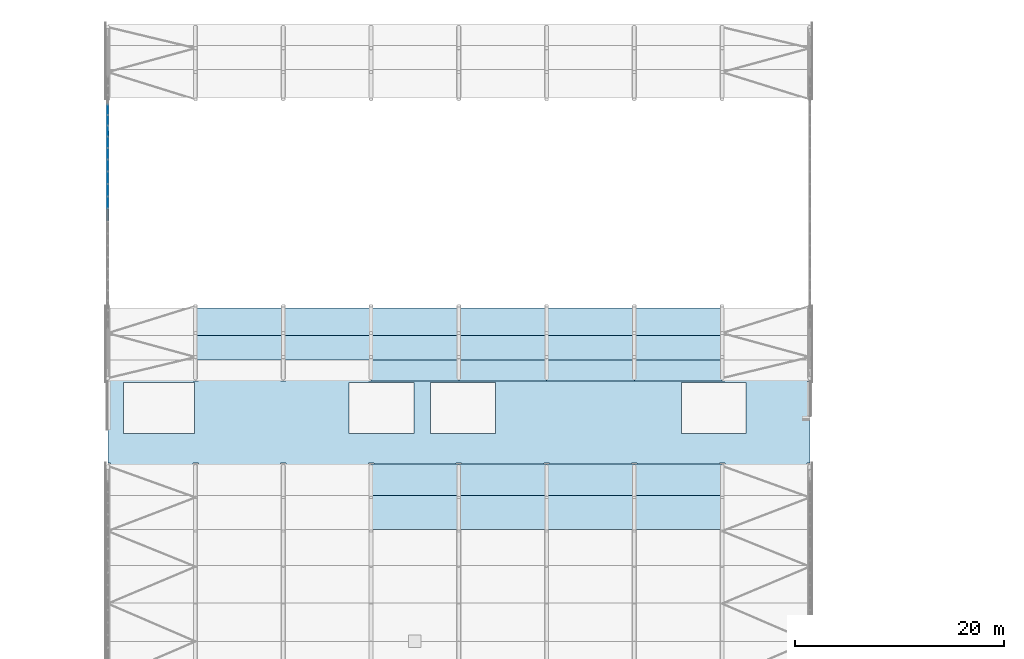
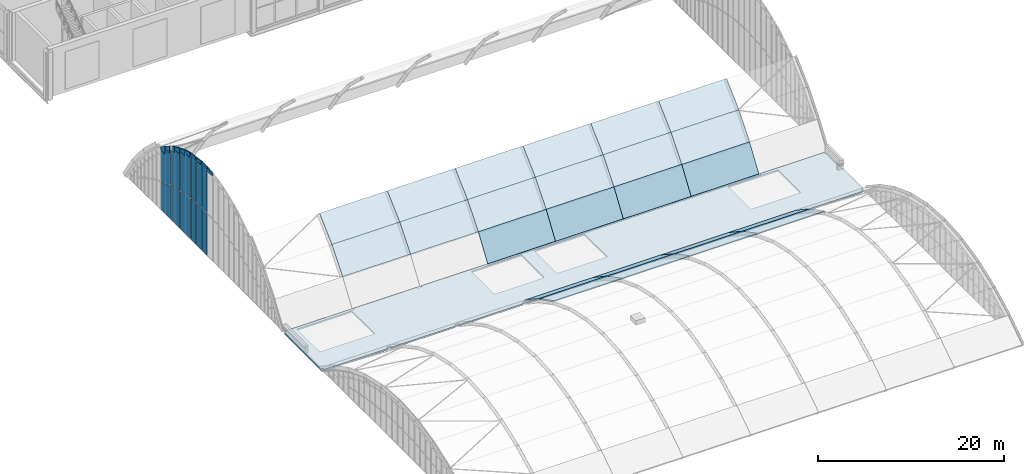
# One storey, part 55 of 77: 28 plates, 25 slabs, 1 element without a shape of its own.
"""IFC4 building model written with IfcOpenShell, lengths in metres."""

import ifcopenshell
import ifcopenshell.guid

model = None  # the IFC model being written
_history = None  # IfcOwnerHistory: only IFC2X3 demands one
_inside = {}  # id of a spatial element -> (the spatial element, [elements in it])
_under = {}  # id of a project, library or spatial element -> (it, [spatial elements below it])
_declared = {}  # id of a project -> (the project, [libraries it declares])
_typed = {}  # id of a type object -> (the type object, [elements of that type])
_made_of = {}  # id of a material, layer set ... -> (it, [elements and type objects made of it])


def new_model(schema):
    """Start an empty IFC model of exactly this schema.

    Asked for "IFC4X3", IfcOpenShell would pick the latest addendum, in which some entities
    have other attributes; the version numbers below select the first issue.
    IFC2X3 requires an IfcOwnerHistory on every rooted entity: one is made here for all.
    """
    global model, _history
    if schema == "IFC4X3":
        model = ifcopenshell.file(schema_version=(4, 3, 0, 0))
    else:
        model = ifcopenshell.file(schema=schema)
    _inside.clear()
    _under.clear()
    _declared.clear()
    _typed.clear()
    _made_of.clear()
    _history = None
    if model.schema == "IFC2X3":
        org = make("IfcOrganization", Name="unknown")
        user = make(
            "IfcPersonAndOrganization",
            ThePerson=make("IfcPerson", FamilyName="unknown"),
            TheOrganization=org,
        )
        app = make(
            "IfcApplication",
            ApplicationDeveloper=org,
            Version="unknown",
            ApplicationFullName="unknown",
            ApplicationIdentifier="unknown",
        )
        _history = make(
            "IfcOwnerHistory",
            OwningUser=user,
            OwningApplication=app,
            ChangeAction="ADDED",
            CreationDate=0,
        )
    return model


def make(cls, **values):
    """One entity of the class cls with the attributes given. An attribute that is None is left unset."""
    return model.create_entity(
        cls, **{name: value for name, value in values.items() if value is not None}
    )


def rooted(cls, **values):
    """An entity with a GlobalId (a new one), such as an element, a storey or a relation."""
    return make(cls, GlobalId=ifcopenshell.guid.new(), OwnerHistory=_history, **values)


def si_unit(unit_type, name, prefix=None):
    """IfcSIUnit, for example si_unit("LENGTHUNIT", "METRE", prefix="MILLI")."""
    return make("IfcSIUnit", UnitType=unit_type, Prefix=prefix, Name=name)


def assignment(units):
    """IfcUnitAssignment: the units of a project."""
    return None if units is None else make("IfcUnitAssignment", Units=units)


def point(xyz):
    """IfcCartesianPoint."""
    return None if xyz is None else make("IfcCartesianPoint", Coordinates=xyz)


def direction(xyz):
    """IfcDirection."""
    return None if xyz is None else make("IfcDirection", DirectionRatios=xyz)


def frame(location, z_axis=None, x_axis=None):
    """IfcAxis2Placement3D, a coordinate frame: its origin and axes. An axis left out is left unset."""
    return make(
        "IfcAxis2Placement3D",
        Location=point(location),
        Axis=direction(z_axis),
        RefDirection=direction(x_axis),
    )


def frame_2d(location, x_axis=None):
    """IfcAxis2Placement2D, a coordinate frame in the plane: its origin and x axis."""
    return make(
        "IfcAxis2Placement2D", Location=point(location), RefDirection=direction(x_axis)
    )


def origin():
    """The frame at (0, 0, 0) with its axes left unset."""
    return frame((0.0, 0.0, 0.0))


def origin_2d():
    """The frame at (0, 0) in the plane with its x axis left unset."""
    return frame_2d((0.0, 0.0))


def place(relative_to, where):
    """IfcLocalPlacement: puts the frame where relative to a parent placement (None: the world)."""
    return make(
        "IfcLocalPlacement", PlacementRelTo=relative_to, RelativePlacement=where
    )


def context(
    kind, dimensions, precision=None, world=None, true_north=None, identifier=None
):
    """IfcGeometricRepresentationContext, for example the 3D "Model" context."""
    return make(
        "IfcGeometricRepresentationContext",
        ContextIdentifier=identifier,
        ContextType=kind,
        CoordinateSpaceDimension=dimensions,
        Precision=precision,
        WorldCoordinateSystem=world,
        TrueNorth=true_north,
    )


def subcontext(parent, identifier, kind, view, scale=None):
    """IfcGeometricRepresentationSubContext, for example "Body" below "Model"."""
    return make(
        "IfcGeometricRepresentationSubContext",
        ContextIdentifier=identifier,
        ContextType=kind,
        ParentContext=parent,
        TargetScale=scale,
        TargetView=view,
    )


def project(units=None, contexts=None):
    """IfcProject with its units and contexts."""
    return rooted(
        "IfcProject",
        Name="project",
        RepresentationContexts=contexts,
        UnitsInContext=assignment(units),
    )


def spatial(cls, under=None, at=None, **own):
    """A site, building, storey or space (cls), placed at a placement, below another one or the project."""
    s = rooted(cls, ObjectPlacement=at, **own)
    if under is not None:
        _under.setdefault(under.id(), (under, []))[1].append(s)
    return s


def polyline(points):
    """IfcPolyline through the points."""
    return make("IfcPolyline", Points=[point(p) for p in points])


def profile(cls, at=None, kind="AREA", **sizes):
    """A parametric profile (cls). Its sizes go by their IFC names, for example OverallWidth=200.0."""
    return make(cls, ProfileType=kind, Position=at, **sizes)


def rectangle(**sizes):
    """IfcRectangleProfileDef."""
    return profile("IfcRectangleProfileDef", **sizes)


def outline(outer, holes=None, kind="AREA"):
    """IfcArbitraryClosedProfileDef: a profile drawn as a closed curve; with holes, ...WithVoids."""
    if holes is None:
        return make("IfcArbitraryClosedProfileDef", ProfileType=kind, OuterCurve=outer)
    return make(
        "IfcArbitraryProfileDefWithVoids",
        ProfileType=kind,
        OuterCurve=outer,
        InnerCurves=holes,
    )


def extrude(swept, where, along, depth):
    """IfcExtrudedAreaSolid: the profile swept, set in the frame where, extruded along a direction by depth."""
    return make(
        "IfcExtrudedAreaSolid",
        SweptArea=swept,
        Position=where,
        ExtrudedDirection=direction(along),
        Depth=depth,
    )


def shape(context_of_items, identifier, shape_type, items):
    """IfcShapeRepresentation: the items that make up one representation, for example the "Body"."""
    return make(
        "IfcShapeRepresentation",
        ContextOfItems=context_of_items,
        RepresentationIdentifier=identifier,
        RepresentationType=shape_type,
        Items=items,
    )


def material(Name=None, Category=None):
    """IfcMaterial."""
    return make("IfcMaterial", Name=Name, Category=Category)


def layer(
    of_material, thickness, ventilated=None, Name=None, Category=None, Priority=None
):
    """IfcMaterialLayer: one layer of a wall or slab, of a material (None: an air gap)."""
    return make(
        "IfcMaterialLayer",
        Material=of_material,
        LayerThickness=thickness,
        IsVentilated=ventilated,
        Name=Name,
        Category=Category,
        Priority=Priority,
    )


def layer_set(layers, Name=None):
    """IfcMaterialLayerSet."""
    return make("IfcMaterialLayerSet", MaterialLayers=layers, LayerSetName=Name)


def made_of(thing, what):
    """Note that an element or type object is made of a material, layer set ...; save() writes the relation."""
    if what is not None:
        _made_of.setdefault(what.id(), (what, []))[1].append(thing)
    return thing


def type_object(cls, material=None, **own):
    """A type object (cls), such as IfcWallType, which elements share."""
    return made_of(rooted(cls, **own), material)


def element(
    cls,
    number,
    at=None,
    inside=None,
    cuts=None,
    type_object=None,
    material=None,
    context=None,
    identifier="Body",
    shape_type=None,
    held_by="IfcProductDefinitionShape",
    body=None,
    shapes=None,
    **own,
):
    """One element of the class cls, such as IfcWall. Its Tag is "e" and its number.

    at: its placement. inside: the storey or other place that contains it. cuts: it is an
    opening in that element (IfcRelVoidsElement). A single representation is given by context,
    identifier, shape_type and body (its items); several are given by shapes. held_by: the class
    of the entity that holds the representations. save() writes the other relations.
    """
    e = rooted(cls, Tag="e%d" % number, ObjectPlacement=at, **own)
    if body is not None:
        shapes = [shape(context, identifier, shape_type, body)]
    if shapes is not None:
        e.Representation = make(held_by, Representations=shapes)
    if inside is not None:
        _inside.setdefault(inside.id(), (inside, []))[1].append(e)
    if cuts is not None:
        rooted(
            "IfcRelVoidsElement", RelatingBuildingElement=cuts, RelatedOpeningElement=e
        )
    if type_object is not None:
        _typed.setdefault(type_object.id(), (type_object, []))[1].append(e)
    return made_of(e, material)


def aggregate(whole, parts):
    """IfcRelAggregates: a whole, such as a stair, and the parts it consists of."""
    return rooted("IfcRelAggregates", RelatingObject=whole, RelatedObjects=parts)


def save(model, path):
    """Write the relations noted so far, then the file.

    IfcRelAggregates (storeys below a building ...), IfcRelContainedInSpatialStructure (elements
    in a storey), IfcRelDefinesByType, IfcRelAssociatesMaterial and IfcRelDeclares: one each for
    every whole, place, type object, material and project.
    """
    for whole, parts in _under.values():
        aggregate(whole, parts)
    for where, things in _inside.values():
        rooted(
            "IfcRelContainedInSpatialStructure",
            RelatedElements=things,
            RelatingStructure=where,
        )
    for kind, things in _typed.values():
        rooted("IfcRelDefinesByType", RelatedObjects=things, RelatingType=kind)
    for what, things in _made_of.values():
        rooted("IfcRelAssociatesMaterial", RelatedObjects=things, RelatingMaterial=what)
    for by, libraries in _declared.values():
        rooted("IfcRelDeclares", RelatingContext=by, RelatedDefinitions=libraries)
    model.write(path)


model = new_model("IFC4")

# Units and contexts
model_context = context("Model", 3, precision=1e-05, world=origin(), true_north=direction((0.0, 1.0)))
body_context = subcontext(model_context, "Body", "Model", "MODEL_VIEW")
ifc_project = project(units=[si_unit("LENGTHUNIT", "METRE"), si_unit("AREAUNIT", "SQUARE_METRE"), si_unit("VOLUMEUNIT", "CUBIC_METRE"), si_unit("PLANEANGLEUNIT", "RADIAN"), si_unit("MASSUNIT", "GRAM", prefix="KILO")], contexts=[model_context])

# Site, building, storey
site_placement = place(None, origin())
site = spatial("IfcSite", under=ifc_project, at=site_placement, CompositionType="ELEMENT")
building_placement = place(site_placement, origin())
building = spatial("IfcBuilding", under=site, at=building_placement, Name="Catenary Quay Ferry Terminal", CompositionType="ELEMENT")
storey_placement = place(building_placement, frame((0.0, 0.0, 10.800048828125)))
storey = spatial("IfcBuildingStorey", under=building, at=storey_placement, Name="L02", CompositionType="ELEMENT", Elevation=10.800048828125)

# Slab
ifc_material_1 = material(Name="Concrete C35/45", Category="concrete")
ifc_layer_1 = layer(ifc_material_1, 0.199951171875)
ifc_layer_set_1 = layer_set([ifc_layer_1], Name="Composite roof slab 200")
slab_type_1 = type_object("IfcSlabType", Name="Composite roof slab 200", PredefinedType="ROOF", material=ifc_layer_set_1)
slab_1_placement = place(storey_placement, frame((0.0, 0.0, -0.199951171875)))
element("IfcSlab", 1, at=slab_1_placement, inside=storey, type_object=slab_type_1, Name="Spine roof slab", PredefinedType="ROOF", context=body_context, shape_type="SweptSolid", body=[
    extrude(outline(polyline([(92.39990234375, 101.06396484375), (92.135986328125, 101.06396484375), (92.135986328125, 100.800048828125), (84.263916015625, 100.800048828125), (84.263916015625, 101.06396484375), (83.736083984375, 101.06396484375), (83.736083984375, 100.800048828125), (75.864013671875, 100.800048828125), (75.864013671875, 101.06396484375), (75.3359375, 101.06396484375), (75.3359375, 100.800048828125), (67.464111328125, 100.800048828125), (67.464111328125, 101.06396484375), (66.93603515625, 101.06396484375), (66.93603515625, 100.800048828125), (59.06396484375, 100.800048828125), (59.06396484375, 101.06396484375), (58.535888671875, 101.06396484375), (58.535888671875, 100.800048828125), (50.6640625, 100.800048828125), (50.6640625, 101.06396484375), (50.135986328125, 101.06396484375), (50.135986328125, 100.800048828125), (42.263916015625, 100.800048828125), (42.263916015625, 101.06396484375), (41.736083984375, 101.06396484375), (41.736083984375, 100.800048828125), (33.864013671875, 100.800048828125), (33.864013671875, 101.06396484375), (33.3359375, 101.06396484375), (33.3359375, 100.800048828125), (25.464111328125, 100.800048828125), (25.464111328125, 101.06396484375), (25.199951171875, 101.06396484375), (25.199951171875, 108.93603515625), (25.464111328125, 108.93603515625), (25.464111328125, 109.199951171875), (33.3359375, 109.199951171875), (33.3359375, 108.93603515625), (33.864013671875, 108.93603515625), (33.864013671875, 109.199951171875), (41.736083984375, 109.199951171875), (41.736083984375, 108.93603515625), (42.263916015625, 108.93603515625), (42.263916015625, 109.199951171875), (50.135986328125, 109.199951171875), (50.135986328125, 108.93603515625), (50.6640625, 108.93603515625), (50.6640625, 109.199951171875), (58.535888671875, 109.199951171875), (58.535888671875, 108.93603515625), (59.06396484375, 108.93603515625), (59.06396484375, 109.199951171875), (66.93603515625, 109.199951171875), (66.93603515625, 108.93603515625), (67.464111328125, 108.93603515625), (67.464111328125, 109.199951171875), (75.3359375, 109.199951171875), (75.3359375, 108.93603515625), (75.864013671875, 108.93603515625), (75.864013671875, 109.199951171875), (83.736083984375, 109.199951171875), (83.736083984375, 108.93603515625), (84.263916015625, 108.93603515625), (84.263916015625, 109.199951171875), (92.135986328125, 109.199951171875), (92.135986328125, 108.93603515625), (92.39990234375, 108.93603515625), (92.39990234375, 101.06396484375)]), holes=[polyline([(33.5, 103.89990234375), (33.5, 108.800048828125), (26.699951171875, 108.800048828125), (26.699951171875, 103.89990234375), (33.5, 103.89990234375)]), polyline([(54.5, 103.89990234375), (54.5, 108.800048828125), (48.300048828125, 108.800048828125), (48.300048828125, 103.89990234375), (54.5, 103.89990234375)]), polyline([(62.300048828125, 103.89990234375), (62.300048828125, 108.800048828125), (56.10009765625, 108.800048828125), (56.10009765625, 103.89990234375), (62.300048828125, 103.89990234375)]), polyline([(86.300048828125, 103.89990234375), (86.300048828125, 108.800048828125), (80.10009765625, 108.800048828125), (80.10009765625, 103.89990234375), (86.300048828125, 103.89990234375)])]), origin(), (0.0, 0.0, 1.0), 0.199951171875),
])

# Curtain wall, plates
ifc_material_2 = material(Name="Aluminium and glass", Category="aluminium")
curtain_wall_type = type_object("IfcCurtainWallType", Name="CWA", PredefinedType="NOTDEFINED", material=ifc_material_2)
curtain_wall_placement = place(storey_placement, origin())
curtain_wall = element("IfcCurtainWall", 2, at=curtain_wall_placement, inside=storey, type_object=curtain_wall_type, Name="Arch departure hall curtain wall CW17", PredefinedType="NOTDEFINED")
ifc_material_3 = material(Name="Glass", Category="glass")
ifc_layer_2 = layer(ifc_material_3, 0.035888671875)
ifc_layer_set_2 = layer_set([ifc_layer_2], Name="PN4")
plate_type_1 = type_object("IfcPlateType", Name="PN4", PredefinedType="CURTAIN_PANEL", material=ifc_layer_set_2)
plate_1_placement = place(storey_placement, frame((25.199951171875, 126.0, 0.10009765625), z_axis=(0.0, 0.0, 1.0), x_axis=(0.0, 1.0, 0.0)))
plate_1 = element("IfcPlate", 3, at=plate_1_placement, type_object=plate_type_1, Name="CW17 panel 17.1", PredefinedType="CURTAIN_PANEL", context=body_context, shape_type="SweptSolid", body=[
    extrude(rectangle(XDim=1.126220703125, YDim=0.035888671875, at=origin_2d()), origin(), (0.0, 0.0, 1.0), 5.5302734375),
])
plate_2_placement = place(storey_placement, frame((25.199951171875, 126.0, 5.730224609375), z_axis=(0.0, 0.0, 1.0), x_axis=(0.0, 1.0, 0.0)))
plate_2 = element("IfcPlate", 4, at=plate_2_placement, type_object=plate_type_1, Name="CW17 panel 17.2", PredefinedType="CURTAIN_PANEL", context=body_context, shape_type="SweptSolid", body=[
    extrude(rectangle(XDim=1.126220703125, YDim=0.035888671875, at=origin_2d()), origin(), (0.0, 0.0, 1.0), 5.5302734375),
])
plate_3_placement = place(storey_placement, frame((25.199951171875, 127.186279296875, 0.10009765625), z_axis=(0.0, 0.0, 1.0), x_axis=(0.0, 1.0, 0.0)))
plate_3 = element("IfcPlate", 5, at=plate_3_placement, type_object=plate_type_1, Name="CW17 panel 18.1", PredefinedType="CURTAIN_PANEL", context=body_context, shape_type="SweptSolid", body=[
    extrude(rectangle(XDim=1.126220703125, YDim=0.035888671875, at=origin_2d()), origin(), (0.0, 0.0, 1.0), 5.450927734375),
])
plate_4_placement = place(storey_placement, frame((25.199951171875, 127.186279296875, 5.65087890625), z_axis=(0.0, 0.0, 1.0), x_axis=(0.0, 1.0, 0.0)))
plate_4 = element("IfcPlate", 6, at=plate_4_placement, type_object=plate_type_1, Name="CW17 panel 18.2", PredefinedType="CURTAIN_PANEL", context=body_context, shape_type="SweptSolid", body=[
    extrude(rectangle(XDim=1.126220703125, YDim=0.035888671875, at=origin_2d()), origin(), (0.0, 0.0, 1.0), 5.450927734375),
])
plate_5_placement = place(storey_placement, frame((25.199951171875, 128.37255859375, 0.10009765625), z_axis=(0.0, 0.0, 1.0), x_axis=(0.0, 1.0, 0.0)))
plate_5 = element("IfcPlate", 7, at=plate_5_placement, type_object=plate_type_1, Name="CW17 panel 19.1", PredefinedType="CURTAIN_PANEL", context=body_context, shape_type="SweptSolid", body=[
    extrude(rectangle(XDim=1.126220703125, YDim=0.035888671875, at=origin_2d()), origin(), (0.0, 0.0, 1.0), 5.37158203125),
])
plate_6_placement = place(storey_placement, frame((25.199951171875, 128.37255859375, 5.57177734375), z_axis=(0.0, 0.0, 1.0), x_axis=(0.0, 1.0, 0.0)))
plate_6 = element("IfcPlate", 8, at=plate_6_placement, type_object=plate_type_1, Name="CW17 panel 19.2", PredefinedType="CURTAIN_PANEL", context=body_context, shape_type="SweptSolid", body=[
    extrude(rectangle(XDim=1.126220703125, YDim=0.035888671875, at=origin_2d()), origin(), (0.0, 0.0, 1.0), 5.37158203125),
])
plate_7_placement = place(storey_placement, frame((25.199951171875, 129.5400390625, 0.099853515625), z_axis=(0.0, 0.0, 1.0), x_axis=(0.0, 1.0, 0.0)))
plate_7 = element("IfcPlate", 9, at=plate_7_placement, type_object=plate_type_1, Name="CW17 panel 20.1", PredefinedType="CURTAIN_PANEL", context=body_context, shape_type="SweptSolid", body=[
    extrude(rectangle(XDim=1.08837890625, YDim=0.035888671875, at=origin_2d()), origin(), (0.0, 0.0, 1.0), 5.220703125),
])
plate_8_placement = place(storey_placement, frame((25.199951171875, 129.5400390625, 5.42041015625), z_axis=(0.0, 0.0, 1.0), x_axis=(0.0, 1.0, 0.0)))
plate_8 = element("IfcPlate", 10, at=plate_8_placement, type_object=plate_type_1, Name="CW17 panel 20.2", PredefinedType="CURTAIN_PANEL", context=body_context, shape_type="SweptSolid", body=[
    extrude(rectangle(XDim=1.08837890625, YDim=0.035888671875, at=origin_2d()), origin(), (0.0, 0.0, 1.0), 5.220703125),
])
plate_9_placement = place(storey_placement, frame((25.199951171875, 130.66943359375, 0.10009765625), z_axis=(0.0, 0.0, 1.0), x_axis=(0.0, 1.0, 0.0)))
plate_9 = element("IfcPlate", 11, at=plate_9_placement, type_object=plate_type_1, Name="CW17 panel 21.1", PredefinedType="CURTAIN_PANEL", context=body_context, shape_type="SweptSolid", body=[
    extrude(rectangle(XDim=1.05029296875, YDim=0.035888671875, at=origin_2d()), origin(), (0.0, 0.0, 1.0), 4.997802734375),
])
plate_10_placement = place(storey_placement, frame((25.199951171875, 130.66943359375, 5.19775390625), z_axis=(0.0, 0.0, 1.0), x_axis=(0.0, 1.0, 0.0)))
plate_10 = element("IfcPlate", 12, at=plate_10_placement, type_object=plate_type_1, Name="CW17 panel 21.2", PredefinedType="CURTAIN_PANEL", context=body_context, shape_type="SweptSolid", body=[
    extrude(rectangle(XDim=1.05029296875, YDim=0.035888671875, at=origin_2d()), origin(), (0.0, 0.0, 1.0), 4.997802734375),
])
plate_11_placement = place(storey_placement, frame((25.199951171875, 131.77978515625, 0.099853515625), z_axis=(0.0, 0.0, 1.0), x_axis=(0.0, 1.0, 0.0)))
plate_11 = element("IfcPlate", 13, at=plate_11_placement, type_object=plate_type_1, Name="CW17 panel 22.1", PredefinedType="CURTAIN_PANEL", context=body_context, shape_type="SweptSolid", body=[
    extrude(rectangle(XDim=1.05029296875, YDim=0.035888671875, at=origin_2d()), origin(), (0.0, 0.0, 1.0), 4.77490234375),
])
plate_12_placement = place(storey_placement, frame((25.199951171875, 131.77978515625, 4.974853515625), z_axis=(0.0, 0.0, 1.0), x_axis=(0.0, 1.0, 0.0)))
plate_12 = element("IfcPlate", 14, at=plate_12_placement, type_object=plate_type_1, Name="CW17 panel 22.2", PredefinedType="CURTAIN_PANEL", context=body_context, shape_type="SweptSolid", body=[
    extrude(rectangle(XDim=1.05029296875, YDim=0.035888671875, at=origin_2d()), origin(), (0.0, 0.0, 1.0), 4.77490234375),
])
plate_13_placement = place(storey_placement, frame((25.199951171875, 132.861083984375, 0.099853515625), z_axis=(0.0, 0.0, 1.0), x_axis=(0.0, 1.0, 0.0)))
plate_13 = element("IfcPlate", 15, at=plate_13_placement, type_object=plate_type_1, Name="CW17 panel 23.1", PredefinedType="CURTAIN_PANEL", context=body_context, shape_type="SweptSolid", body=[
    extrude(rectangle(XDim=0.992431640625, YDim=0.035888671875, at=origin_2d()), origin(), (0.0, 0.0, 1.0), 4.4970703125),
])
plate_14_placement = place(storey_placement, frame((25.199951171875, 132.861083984375, 4.697021484375), z_axis=(0.0, 0.0, 1.0), x_axis=(0.0, 1.0, 0.0)))
plate_14 = element("IfcPlate", 16, at=plate_14_placement, type_object=plate_type_1, Name="CW17 panel 23.2", PredefinedType="CURTAIN_PANEL", context=body_context, shape_type="SweptSolid", body=[
    extrude(rectangle(XDim=0.992431640625, YDim=0.035888671875, at=origin_2d()), origin(), (0.0, 0.0, 1.0), 4.4970703125),
])
plate_15_placement = place(storey_placement, frame((25.199951171875, 133.884765625, 0.10009765625), z_axis=(0.0, 0.0, 1.0), x_axis=(0.0, 1.0, 0.0)))
plate_15 = element("IfcPlate", 17, at=plate_15_placement, type_object=plate_type_1, Name="CW17 panel 24.1", PredefinedType="CURTAIN_PANEL", context=body_context, shape_type="SweptSolid", body=[
    extrude(rectangle(XDim=0.9345703125, YDim=0.035888671875, at=origin_2d()), origin(), (0.0, 0.0, 1.0), 4.164306640625),
])
plate_16_placement = place(storey_placement, frame((25.199951171875, 133.884765625, 4.3642578125), z_axis=(0.0, 0.0, 1.0), x_axis=(0.0, 1.0, 0.0)))
plate_16 = element("IfcPlate", 18, at=plate_16_placement, type_object=plate_type_1, Name="CW17 panel 24.2", PredefinedType="CURTAIN_PANEL", context=body_context, shape_type="SweptSolid", body=[
    extrude(rectangle(XDim=0.9345703125, YDim=0.035888671875, at=origin_2d()), origin(), (0.0, 0.0, 1.0), 4.164306640625),
])
plate_17_placement = place(storey_placement, frame((25.199951171875, 134.87939453125, 0.10009765625), z_axis=(0.0, 0.0, 1.0), x_axis=(0.0, 1.0, 0.0)))
plate_17 = element("IfcPlate", 19, at=plate_17_placement, type_object=plate_type_1, Name="CW17 panel 25.1", PredefinedType="CURTAIN_PANEL", context=body_context, shape_type="SweptSolid", body=[
    extrude(rectangle(XDim=0.9345703125, YDim=0.035888671875, at=origin_2d()), origin(), (0.0, 0.0, 1.0), 3.831298828125),
])
plate_18_placement = place(storey_placement, frame((25.199951171875, 134.87939453125, 4.03125), z_axis=(0.0, 0.0, 1.0), x_axis=(0.0, 1.0, 0.0)))
plate_18 = element("IfcPlate", 20, at=plate_18_placement, type_object=plate_type_1, Name="CW17 panel 25.2", PredefinedType="CURTAIN_PANEL", context=body_context, shape_type="SweptSolid", body=[
    extrude(rectangle(XDim=0.9345703125, YDim=0.035888671875, at=origin_2d()), origin(), (0.0, 0.0, 1.0), 3.831298828125),
])
ifc_material_4 = material(Name="Ceramic tile facing on insulated backing")
ifc_layer_3 = layer(ifc_material_4, 0.14990234375)
ifc_layer_set_3 = layer_set([ifc_layer_3], Name="PN7")
plate_type_2 = type_object("IfcPlateType", Name="PN7", PredefinedType="CURTAIN_PANEL", material=ifc_layer_set_3)
plate_19_placement = place(storey_placement, frame((25.199951171875, 124.25048828125, 11.201904296875), z_axis=(0.0, 0.0, 1.0), x_axis=(0.0, 1.0, 0.0)))
plate_19 = element("IfcPlate", 21, at=plate_19_placement, type_object=plate_type_2, Name="CW17 spandrel panel 18", PredefinedType="CURTAIN_PANEL", context=body_context, shape_type="SweptSolid", body=[
    extrude(outline(polyline([(0.0, 0.0), (1.126220703125, 0.0), (1.126220703125, 0.49462890625), (0.0, 0.343994140625), (0.0, 0.0)])), frame((0.0, 0.074951171875, 0.0), z_axis=(0.0, -1.0, 0.0), x_axis=(1.0, 0.0, 0.0)), (0.0, 0.0, 1.0), 0.14990234375),
])
plate_20_placement = place(storey_placement, frame((25.199951171875, 125.436767578125, 11.360595703125), z_axis=(0.0, 0.0, 1.0), x_axis=(0.0, 1.0, 0.0)))
plate_20 = element("IfcPlate", 22, at=plate_20_placement, type_object=plate_type_2, Name="CW17 spandrel panel 19", PredefinedType="CURTAIN_PANEL", context=body_context, shape_type="SweptSolid", body=[
    extrude(outline(polyline([(0.0, 0.0), (1.126220703125, 0.0), (1.126220703125, 0.343994140625), (0.0, 0.343994140625), (0.0, 0.0)])), frame((0.0, 0.074951171875, 0.0), z_axis=(0.0, -1.0, 0.0), x_axis=(1.0, 0.0, 0.0)), (0.0, 0.0, 1.0), 0.14990234375),
])
plate_21_placement = place(storey_placement, frame((25.199951171875, 126.623046875, 11.201904296875), z_axis=(0.0, 0.0, 1.0), x_axis=(0.0, 1.0, 0.0)))
plate_21 = element("IfcPlate", 23, at=plate_21_placement, type_object=plate_type_2, Name="CW17 spandrel panel 20", PredefinedType="CURTAIN_PANEL", context=body_context, shape_type="SweptSolid", body=[
    extrude(outline(polyline([(0.0, 0.0), (1.126220703125, 0.0), (1.126220703125, 0.343994140625), (0.0, 0.49462890625), (0.0, 0.0)])), frame((0.0, 0.074951171875, 0.0), z_axis=(0.0, -1.0, 0.0), x_axis=(1.0, 0.0, 0.0)), (0.0, 0.0, 1.0), 0.14990234375),
])
plate_22_placement = place(storey_placement, frame((25.199951171875, 127.8095703125, 11.043212890625), z_axis=(0.0, 0.0, 1.0), x_axis=(0.0, 1.0, 0.0)))
plate_22 = element("IfcPlate", 24, at=plate_22_placement, type_object=plate_type_2, Name="CW17 spandrel panel 21", PredefinedType="CURTAIN_PANEL", context=body_context, shape_type="SweptSolid", body=[
    extrude(outline(polyline([(0.0, 0.0), (1.126220703125, 0.0), (1.126220703125, 0.343994140625), (0.0, 0.49462890625), (0.0, 0.0)])), frame((0.0, 0.074951171875, 0.0), z_axis=(0.0, -1.0, 0.0), x_axis=(1.0, 0.0, 0.0)), (0.0, 0.0, 1.0), 0.14990234375),
])
plate_23_placement = place(storey_placement, frame((25.199951171875, 128.995849609375, 10.7412109375), z_axis=(0.0, 0.0, 1.0), x_axis=(0.0, 1.0, 0.0)))
plate_23 = element("IfcPlate", 25, at=plate_23_placement, type_object=plate_type_2, Name="CW17 spandrel panel 22", PredefinedType="CURTAIN_PANEL", context=body_context, shape_type="SweptSolid", body=[
    extrude(outline(polyline([(0.0, 0.0), (1.08837890625, 0.0), (1.08837890625, 0.35205078125), (0.0, 0.637939453125), (0.0, 0.0)])), frame((0.0, 0.074951171875, 0.0), z_axis=(0.0, -1.0, 0.0), x_axis=(1.0, 0.0, 0.0)), (0.0, 0.0, 1.0), 0.14990234375),
])
plate_24_placement = place(storey_placement, frame((25.199951171875, 130.144287109375, 10.29541015625), z_axis=(0.0, 0.0, 1.0), x_axis=(0.0, 1.0, 0.0)))
plate_24 = element("IfcPlate", 26, at=plate_24_placement, type_object=plate_type_2, Name="CW17 spandrel panel 23", PredefinedType="CURTAIN_PANEL", context=body_context, shape_type="SweptSolid", body=[
    extrude(outline(polyline([(0.0, 0.0), (1.05029296875, 0.0), (1.05029296875, 0.35205078125), (0.0, 0.773681640625), (0.0, 0.0)])), frame((0.0, 0.074951171875, 0.0), z_axis=(0.0, -1.0, 0.0), x_axis=(1.0, 0.0, 0.0)), (0.0, 0.0, 1.0), 0.14990234375),
])
plate_25_placement = place(storey_placement, frame((25.199951171875, 131.25439453125, 9.849853515625), z_axis=(0.0, 0.0, 1.0), x_axis=(0.0, 1.0, 0.0)))
plate_25 = element("IfcPlate", 27, at=plate_25_placement, type_object=plate_type_2, Name="CW17 spandrel panel 24", PredefinedType="CURTAIN_PANEL", context=body_context, shape_type="SweptSolid", body=[
    extrude(outline(polyline([(0.0, 0.0), (1.05029296875, 0.0), (1.05029296875, 0.35205078125), (0.0, 0.7734375), (0.0, 0.0)])), frame((0.0, 0.074951171875, 0.0), z_axis=(0.0, -1.0, 0.0), x_axis=(1.0, 0.0, 0.0)), (0.0, 0.0, 1.0), 0.14990234375),
])
plate_26_placement = place(storey_placement, frame((25.199951171875, 132.36474609375, 9.294189453125), z_axis=(0.0, 0.0, 1.0), x_axis=(0.0, 1.0, 0.0)))
plate_26 = element("IfcPlate", 28, at=plate_26_placement, type_object=plate_type_2, Name="CW17 spandrel panel 25", PredefinedType="CURTAIN_PANEL", context=body_context, shape_type="SweptSolid", body=[
    extrude(outline(polyline([(0.0, 0.0), (0.4501953125, 0.0), (0.4501953125, 0.702880859375), (0.0, 0.883544921875), (0.0, 0.0)])), frame((0.0, 0.074951171875, 0.0), z_axis=(0.0, -1.0, 0.0), x_axis=(1.0, 0.0, 0.0)), (0.0, 0.0, 1.0), 0.14990234375),
])
plate_27_placement = place(storey_placement, frame((25.199951171875, 133.417236328125, 8.62841796875), z_axis=(0.0, 0.0, 1.0), x_axis=(0.0, 1.0, 0.0)))
plate_27 = element("IfcPlate", 29, at=plate_27_placement, type_object=plate_type_2, Name="CW17 spandrel panel 27", PredefinedType="CURTAIN_PANEL", context=body_context, shape_type="SweptSolid", body=[
    extrude(outline(polyline([(0.0, 0.0), (0.9345703125, 0.0), (0.9345703125, 0.360107421875), (0.0, 0.985595703125), (0.0, 0.0)])), frame((0.0, 0.074951171875, 0.0), z_axis=(0.0, -1.0, 0.0), x_axis=(1.0, 0.0, 0.0)), (0.0, 0.0, 1.0), 0.14990234375),
])
plate_28_placement = place(storey_placement, frame((25.199951171875, 134.412109375, 7.962890625), z_axis=(0.0, 0.0, 1.0), x_axis=(0.0, 1.0, 0.0)))
plate_28 = element("IfcPlate", 30, at=plate_28_placement, type_object=plate_type_2, Name="CW17 spandrel panel 28", PredefinedType="CURTAIN_PANEL", context=body_context, shape_type="SweptSolid", body=[
    extrude(outline(polyline([(0.0, 0.0), (0.9345703125, 0.0), (0.9345703125, 0.35986328125), (0.0, 0.985595703125), (0.0, 0.0)])), frame((0.0, 0.074951171875, 0.0), z_axis=(0.0, -1.0, 0.0), x_axis=(1.0, 0.0, 0.0)), (0.0, 0.0, 1.0), 0.14990234375),
])
aggregate(curtain_wall, [plate_19, plate_1, plate_2, plate_20, plate_3, plate_4, plate_21, plate_5, plate_6, plate_22, plate_7, plate_8, plate_23, plate_9, plate_10, plate_24, plate_11, plate_12, plate_25, plate_13, plate_14, plate_26, plate_15, plate_16, plate_27, plate_17, plate_18, plate_28])

# Slabs
ifc_material_5 = material(Name="Concrete C35/45", Category="concrete")
ifc_layer_4 = layer(ifc_material_5, 0.1201171875)
ifc_layer_set_4 = layer_set([ifc_layer_4], Name="Thin concrete shell roof slab C35/45 120")
slab_type_2 = type_object("IfcSlabType", Name="Thin concrete shell roof slab C35/45 120", PredefinedType="ROOF", material=ifc_layer_set_4)
slab_2_placement = place(storey_placement, frame((33.60009765625, 110.956298828125, 3.165283203125), z_axis=(0.0, -0.769753119494, 0.638341707105), x_axis=(1.0, 0.0, 0.0)))
element("IfcSlab", 31, at=slab_2_placement, inside=storey, type_object=slab_type_2, Name="Roof shell panel VD-02-02", PredefinedType="ROOF", context=body_context, shape_type="SweptSolid", body=[
    extrude(outline(polyline([(0.0, 0.0), (8.39990234375, 0.0), (8.39990234375, 3.626492489028447), (0.0, 3.626492489028447), (0.0, 0.0)])), origin(), (0.0, -0.769753119494, -0.638341707105), 0.18798828125),
])
slab_3_placement = place(storey_placement, frame((33.60009765625, 113.271240234375, 5.956787109375), z_axis=(0.0, -0.683912096655, 0.729564420767), x_axis=(1.0, 0.0, 0.0)))
element("IfcSlab", 32, at=slab_3_placement, inside=storey, type_object=slab_type_2, Name="Roof shell panel VD-02-03", PredefinedType="ROOF", context=body_context, shape_type="SweptSolid", body=[
    extrude(outline(polyline([(0.0, 0.0), (8.39990234375, 0.0), (8.39990234375, 3.636520773705697), (0.0, 3.636520773705697), (0.0, 0.0)])), origin(), (0.0, -0.683912096655, -0.729564420767), 0.16455078125),
])
slab_4_placement = place(storey_placement, frame((42.0, 110.956298828125, 3.165283203125), z_axis=(0.0, -0.769753119494, 0.638341707105), x_axis=(1.0, 0.0, 0.0)))
element("IfcSlab", 33, at=slab_4_placement, inside=storey, type_object=slab_type_2, Name="Roof shell panel VD-03-02", PredefinedType="ROOF", context=body_context, shape_type="SweptSolid", body=[
    extrude(outline(polyline([(0.0, 0.0), (8.39990234375, 0.0), (8.39990234375, 3.626492489028447), (0.0, 3.626492489028447), (0.0, 0.0)])), origin(), (0.0, -0.769753119494, -0.638341707105), 0.18798828125),
])
slab_5_placement = place(storey_placement, frame((42.0, 113.271240234375, 5.956787109375), z_axis=(0.0, -0.683912096655, 0.729564420767), x_axis=(1.0, 0.0, 0.0)))
element("IfcSlab", 34, at=slab_5_placement, inside=storey, type_object=slab_type_2, Name="Roof shell panel VD-03-03", PredefinedType="ROOF", context=body_context, shape_type="SweptSolid", body=[
    extrude(outline(polyline([(0.0, 0.0), (8.39990234375, 0.0), (8.39990234375, 3.636520773705697), (0.0, 3.636520773705697), (0.0, 0.0)])), origin(), (0.0, -0.683912096655, -0.729564420767), 0.16455078125),
])
slab_6_placement = place(storey_placement, frame((50.39990234375, 108.9326171875, 0.181396484375), z_axis=(0.0, -0.827617329407, 0.561292754332), x_axis=(1.0, 0.0, 0.0)))
element("IfcSlab", 35, at=slab_6_placement, inside=storey, type_object=slab_type_2, Name="Roof shell panel VD-04-01", PredefinedType="ROOF", context=body_context, shape_type="SweptSolid", body=[
    extrude(outline(polyline([(0.0, 0.0), (8.400146484375, 0.0), (8.400146484375, 3.605394199381717), (0.0, 3.605394199381717), (0.0, 0.0)])), origin(), (0.0, -0.827617329407, -0.561292754332), 0.2138671875),
])
slab_7_placement = place(storey_placement, frame((50.39990234375, 110.956298828125, 3.165283203125), z_axis=(0.0, -0.769753119494, 0.638341707105), x_axis=(1.0, 0.0, 0.0)))
element("IfcSlab", 36, at=slab_7_placement, inside=storey, type_object=slab_type_2, Name="Roof shell panel VD-04-02", PredefinedType="ROOF", context=body_context, shape_type="SweptSolid", body=[
    extrude(outline(polyline([(0.0, 0.0), (8.400146484375, 0.0), (8.400146484375, 3.626492489028446), (0.0, 3.626492489028446), (0.0, 0.0)])), origin(), (0.0, -0.769753119494, -0.638341707105), 0.18798828125),
])
slab_8_placement = place(storey_placement, frame((50.39990234375, 113.271240234375, 5.956787109375), z_axis=(0.0, -0.683912096655, 0.729564420767), x_axis=(1.0, 0.0, 0.0)))
element("IfcSlab", 37, at=slab_8_placement, inside=storey, type_object=slab_type_2, Name="Roof shell panel VD-04-03", PredefinedType="ROOF", context=body_context, shape_type="SweptSolid", body=[
    extrude(outline(polyline([(0.0, 0.0), (8.400146484375, 0.0), (8.400146484375, 3.636520773705697), (0.0, 3.636520773705697), (0.0, 0.0)])), origin(), (0.0, -0.683912096655, -0.729564420767), 0.16455078125),
])
slab_9_placement = place(storey_placement, frame((58.800048828125, 108.9326171875, 0.181396484375), z_axis=(0.0, -0.827617329407, 0.561292754332), x_axis=(1.0, 0.0, 0.0)))
element("IfcSlab", 38, at=slab_9_placement, inside=storey, type_object=slab_type_2, Name="Roof shell panel VD-05-01", PredefinedType="ROOF", context=body_context, shape_type="SweptSolid", body=[
    extrude(outline(polyline([(0.0, 0.0), (8.39990234375, 0.0), (8.39990234375, 3.605394199381718), (0.0, 3.605394199381718), (0.0, 0.0)])), origin(), (0.0, -0.827617329407, -0.561292754332), 0.2138671875),
])
slab_10_placement = place(storey_placement, frame((58.800048828125, 110.956298828125, 3.165283203125), z_axis=(0.0, -0.769753119494, 0.638341707105), x_axis=(1.0, 0.0, 0.0)))
element("IfcSlab", 39, at=slab_10_placement, inside=storey, type_object=slab_type_2, Name="Roof shell panel VD-05-02", PredefinedType="ROOF", context=body_context, shape_type="SweptSolid", body=[
    extrude(outline(polyline([(0.0, 0.0), (8.39990234375, 0.0), (8.39990234375, 3.626492489028447), (0.0, 3.626492489028447), (0.0, 0.0)])), origin(), (0.0, -0.769753119494, -0.638341707105), 0.18798828125),
])
slab_11_placement = place(storey_placement, frame((58.800048828125, 113.271240234375, 5.956787109375), z_axis=(0.0, -0.683912096655, 0.729564420767), x_axis=(1.0, 0.0, 0.0)))
element("IfcSlab", 40, at=slab_11_placement, inside=storey, type_object=slab_type_2, Name="Roof shell panel VD-05-03", PredefinedType="ROOF", context=body_context, shape_type="SweptSolid", body=[
    extrude(outline(polyline([(0.0, 0.0), (8.39990234375, 0.0), (8.39990234375, 3.636520773705697), (0.0, 3.636520773705697), (0.0, 0.0)])), origin(), (0.0, -0.683912096655, -0.729564420767), 0.16455078125),
])
slab_12_placement = place(storey_placement, frame((67.199951171875, 108.9326171875, 0.181396484375), z_axis=(0.0, -0.827617329407, 0.561292754332), x_axis=(1.0, 0.0, 0.0)))
element("IfcSlab", 41, at=slab_12_placement, inside=storey, type_object=slab_type_2, Name="Roof shell panel VD-06-01", PredefinedType="ROOF", context=body_context, shape_type="SweptSolid", body=[
    extrude(outline(polyline([(0.0, 0.0), (8.400146484375, 0.0), (8.400146484375, 3.605394199381717), (0.0, 3.605394199381717), (0.0, 0.0)])), origin(), (0.0, -0.827617329407, -0.561292754332), 0.2138671875),
])
slab_13_placement = place(storey_placement, frame((67.199951171875, 110.956298828125, 3.165283203125), z_axis=(0.0, -0.769753119494, 0.638341707105), x_axis=(1.0, 0.0, 0.0)))
element("IfcSlab", 42, at=slab_13_placement, inside=storey, type_object=slab_type_2, Name="Roof shell panel VD-06-02", PredefinedType="ROOF", context=body_context, shape_type="SweptSolid", body=[
    extrude(outline(polyline([(0.0, 0.0), (8.400146484375, 0.0), (8.400146484375, 3.626492489028446), (0.0, 3.626492489028446), (0.0, 0.0)])), origin(), (0.0, -0.769753119494, -0.638341707105), 0.18798828125),
])
slab_14_placement = place(storey_placement, frame((67.199951171875, 113.271240234375, 5.956787109375), z_axis=(0.0, -0.683912096655, 0.729564420767), x_axis=(1.0, 0.0, 0.0)))
element("IfcSlab", 43, at=slab_14_placement, inside=storey, type_object=slab_type_2, Name="Roof shell panel VD-06-03", PredefinedType="ROOF", context=body_context, shape_type="SweptSolid", body=[
    extrude(outline(polyline([(0.0, 0.0), (8.400146484375, 0.0), (8.400146484375, 3.636520773705697), (0.0, 3.636520773705697), (0.0, 0.0)])), origin(), (0.0, -0.683912096655, -0.729564420767), 0.16455078125),
])
slab_15_placement = place(storey_placement, frame((75.60009765625, 108.9326171875, 0.181396484375), z_axis=(0.0, -0.827617329407, 0.561292754332), x_axis=(1.0, 0.0, 0.0)))
element("IfcSlab", 44, at=slab_15_placement, inside=storey, type_object=slab_type_2, Name="Roof shell panel VD-07-01", PredefinedType="ROOF", context=body_context, shape_type="SweptSolid", body=[
    extrude(outline(polyline([(0.0, 0.0), (8.39990234375, 0.0), (8.39990234375, 3.605394199381718), (0.0, 3.605394199381718), (0.0, 0.0)])), origin(), (0.0, -0.827617329407, -0.561292754332), 0.2138671875),
])
slab_16_placement = place(storey_placement, frame((75.60009765625, 110.956298828125, 3.165283203125), z_axis=(0.0, -0.769753119494, 0.638341707105), x_axis=(1.0, 0.0, 0.0)))
element("IfcSlab", 45, at=slab_16_placement, inside=storey, type_object=slab_type_2, Name="Roof shell panel VD-07-02", PredefinedType="ROOF", context=body_context, shape_type="SweptSolid", body=[
    extrude(outline(polyline([(0.0, 0.0), (8.39990234375, 0.0), (8.39990234375, 3.626492489028447), (0.0, 3.626492489028447), (0.0, 0.0)])), origin(), (0.0, -0.769753119494, -0.638341707105), 0.18798828125),
])
slab_17_placement = place(storey_placement, frame((75.60009765625, 113.271240234375, 5.956787109375), z_axis=(0.0, -0.683912096655, 0.729564420767), x_axis=(1.0, 0.0, 0.0)))
element("IfcSlab", 46, at=slab_17_placement, inside=storey, type_object=slab_type_2, Name="Roof shell panel VD-07-03", PredefinedType="ROOF", context=body_context, shape_type="SweptSolid", body=[
    extrude(outline(polyline([(0.0, 0.0), (8.39990234375, 0.0), (8.39990234375, 3.636520773705697), (0.0, 3.636520773705697), (0.0, 0.0)])), origin(), (0.0, -0.683912096655, -0.729564420767), 0.16455078125),
])
slab_18_placement = place(storey_placement, frame((50.39990234375, 94.693115234375, 3.97998046875), z_axis=(0.0, 0.460591277623, 0.887612344989), x_axis=(1.0, 0.0, 0.0)))
element("IfcSlab", 47, at=slab_18_placement, inside=storey, type_object=slab_type_2, Name="Roof shell panel VA-04-09", PredefinedType="ROOF", context=body_context, shape_type="SweptSolid", body=[
    extrude(outline(polyline([(0.0, 0.0), (8.400146484375, 0.0), (8.400146484375, 3.6653590805888725), (0.0, 3.6653590805888725), (0.0, 0.0)])), origin(), (0.0, 0.460591277623, -0.887612344989), 0.13525390625),
])
slab_19_placement = place(storey_placement, frame((50.39990234375, 97.946533203125, 2.291748046875), z_axis=(0.0, 0.554916543304, 0.831906022317), x_axis=(1.0, 0.0, 0.0)))
element("IfcSlab", 48, at=slab_19_placement, inside=storey, type_object=slab_type_2, Name="Roof shell panel VA-04-10", PredefinedType="ROOF", context=body_context, shape_type="SweptSolid", body=[
    extrude(outline(polyline([(0.0, 0.0), (8.400146484375, 0.0), (8.400146484375, 3.6455017302345123), (0.0, 3.6455017302345123), (0.0, 0.0)])), origin(), (0.0, 0.554916543304, -0.831906022317), 0.144287109375),
])
slab_20_placement = place(storey_placement, frame((58.800048828125, 94.693115234375, 3.97998046875), z_axis=(0.0, 0.460591277623, 0.887612344989), x_axis=(1.0, 0.0, 0.0)))
element("IfcSlab", 49, at=slab_20_placement, inside=storey, type_object=slab_type_2, Name="Roof shell panel VA-05-09", PredefinedType="ROOF", context=body_context, shape_type="SweptSolid", body=[
    extrude(outline(polyline([(0.0, 0.0), (8.39990234375, 0.0), (8.39990234375, 3.6653590805888725), (0.0, 3.6653590805888725), (0.0, 0.0)])), origin(), (0.0, 0.460591277623, -0.887612344989), 0.13525390625),
])
slab_21_placement = place(storey_placement, frame((58.800048828125, 97.946533203125, 2.291748046875), z_axis=(0.0, 0.554916543304, 0.831906022317), x_axis=(1.0, 0.0, 0.0)))
element("IfcSlab", 50, at=slab_21_placement, inside=storey, type_object=slab_type_2, Name="Roof shell panel VA-05-10", PredefinedType="ROOF", context=body_context, shape_type="SweptSolid", body=[
    extrude(outline(polyline([(0.0, 0.0), (8.39990234375, 0.0), (8.39990234375, 3.6455017302345123), (0.0, 3.6455017302345123), (0.0, 0.0)])), origin(), (0.0, 0.554916543304, -0.831906022317), 0.144287109375),
])
slab_22_placement = place(storey_placement, frame((67.199951171875, 94.693115234375, 3.97998046875), z_axis=(0.0, 0.460591277623, 0.887612344989), x_axis=(1.0, 0.0, 0.0)))
element("IfcSlab", 51, at=slab_22_placement, inside=storey, type_object=slab_type_2, Name="Roof shell panel VA-06-09", PredefinedType="ROOF", context=body_context, shape_type="SweptSolid", body=[
    extrude(outline(polyline([(0.0, 0.0), (8.400146484375, 0.0), (8.400146484375, 3.6653590805888725), (0.0, 3.6653590805888725), (0.0, 0.0)])), origin(), (0.0, 0.460591277623, -0.887612344989), 0.13525390625),
])
slab_23_placement = place(storey_placement, frame((67.199951171875, 97.946533203125, 2.291748046875), z_axis=(0.0, 0.554916543304, 0.831906022317), x_axis=(1.0, 0.0, 0.0)))
element("IfcSlab", 52, at=slab_23_placement, inside=storey, type_object=slab_type_2, Name="Roof shell panel VA-06-10", PredefinedType="ROOF", context=body_context, shape_type="SweptSolid", body=[
    extrude(outline(polyline([(0.0, 0.0), (8.400146484375, 0.0), (8.400146484375, 3.6455017302345123), (0.0, 3.6455017302345123), (0.0, 0.0)])), origin(), (0.0, 0.554916543304, -0.831906022317), 0.144287109375),
])
slab_24_placement = place(storey_placement, frame((75.60009765625, 94.693115234375, 3.97998046875), z_axis=(0.0, 0.460591277623, 0.887612344989), x_axis=(1.0, 0.0, 0.0)))
element("IfcSlab", 53, at=slab_24_placement, inside=storey, type_object=slab_type_2, Name="Roof shell panel VA-07-09", PredefinedType="ROOF", context=body_context, shape_type="SweptSolid", body=[
    extrude(outline(polyline([(0.0, 0.0), (8.39990234375, 0.0), (8.39990234375, 3.6653590805888725), (0.0, 3.6653590805888725), (0.0, 0.0)])), origin(), (0.0, 0.460591277623, -0.887612344989), 0.13525390625),
])
slab_25_placement = place(storey_placement, frame((75.60009765625, 97.946533203125, 2.291748046875), z_axis=(0.0, 0.554916543304, 0.831906022317), x_axis=(1.0, 0.0, 0.0)))
element("IfcSlab", 54, at=slab_25_placement, inside=storey, type_object=slab_type_2, Name="Roof shell panel VA-07-10", PredefinedType="ROOF", context=body_context, shape_type="SweptSolid", body=[
    extrude(outline(polyline([(0.0, 0.0), (8.39990234375, 0.0), (8.39990234375, 3.6455017302345123), (0.0, 3.6455017302345123), (0.0, 0.0)])), origin(), (0.0, 0.554916543304, -0.831906022317), 0.144287109375),
])

save(model, "model.ifc")
